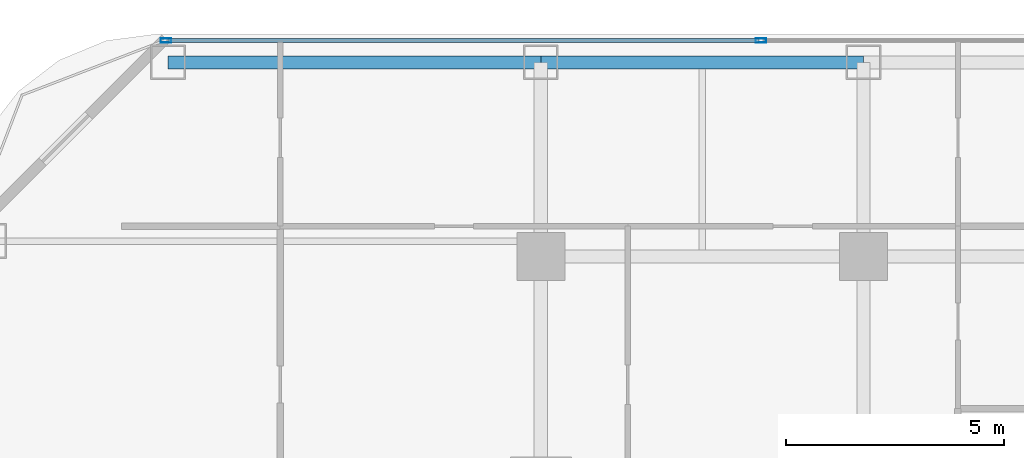
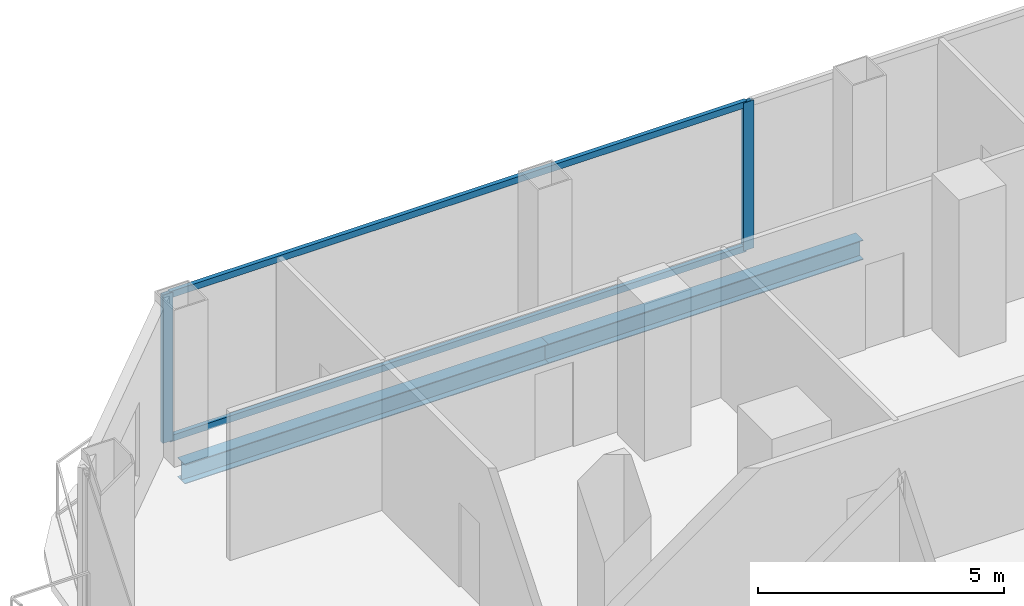
# One storey, part 15 of 30: 4 members, 2 beams, 1 element without a shape of its own.
"""IFC4 building model written with IfcOpenShell, lengths in metres."""

from ifc_helpers import new_model, si_unit, direction, frame, origin, origin_2d, place, context, subcontext, project, spatial, hollow_rectangle, i_section, extrude, material, layer, layer_set, material_profile, profile_set, type_object, element, aggregate, save


model = new_model("IFC4")

# Units and contexts
model_context = context("Model", 3, precision=1e-05, world=origin(), true_north=direction((0.0, 1.0)))
body_context = subcontext(model_context, "Body", "Model", "MODEL_VIEW")
ifc_project = project(units=[si_unit("LENGTHUNIT", "METRE"), si_unit("AREAUNIT", "SQUARE_METRE"), si_unit("VOLUMEUNIT", "CUBIC_METRE"), si_unit("PLANEANGLEUNIT", "RADIAN"), si_unit("MASSUNIT", "GRAM", prefix="KILO")], contexts=[model_context])

# Site, building, storey
site_placement = place(None, origin())
site = spatial("IfcSite", under=ifc_project, at=site_placement, CompositionType="ELEMENT")
building_placement = place(site_placement, origin())
building = spatial("IfcBuilding", under=site, at=building_placement, Name="Khorvyn Point Tower", CompositionType="ELEMENT")
storey_placement = place(building_placement, frame((0.0, 0.0, 57.89990234375)))
storey = spatial("IfcBuildingStorey", under=building, at=storey_placement, Name="L15", CompositionType="ELEMENT", Elevation=57.89990234375)

# Curtain wall, members
ifc_material_1 = material(Name="Anodised aluminium 6063-T6 and laminated Low-E glass", Category="aluminium")
ifc_layer = layer(ifc_material_1, 0.18994140625)
ifc_layer_set = layer_set([ifc_layer], Name="Stick-Built Finned Residential Curtain Wall CW-SYS-02")
curtain_wall_type = type_object("IfcCurtainWallType", Name="Stick-Built Finned Residential Curtain Wall CW-SYS-02", PredefinedType="NOTDEFINED", material=ifc_layer_set)
curtain_wall_placement = place(storey_placement, origin())
curtain_wall = element("IfcCurtainWall", 1, at=curtain_wall_placement, inside=storey, type_object=curtain_wall_type, Name="Curtain Wall", PredefinedType="NOTDEFINED")
ifc_material_2 = material(Name="Anodised aluminium 6063-T6", Category="aluminium")
ifc_material_profile_1 = material_profile(ifc_material_2, hollow_rectangle(XDim=0.10009765625, YDim=0.239990234375, WallThickness=0.0048828125, at=origin_2d()))
ifc_profile_set_1 = profile_set([ifc_material_profile_1], Name="Anodised aluminium 6063-T6 ALU-MUL-100x240")
member_type_1 = type_object("IfcMemberType", Name="Anodised Aluminium 6063-T6 Mullion ALU-MUL-100x240", PredefinedType="MULLION", material=ifc_profile_set_1)
member_1_placement = place(storey_placement, frame((-23.39990234375, 25.050048828125, 0.0), z_axis=(0.0, 0.0, 1.0), x_axis=(0.0, 1.0, 0.0)))
member_1 = element("IfcMember", 2, at=member_1_placement, type_object=member_type_1, Name="Transom", PredefinedType="MULLION", context=body_context, shape_type="SweptSolid", body=[
    extrude(hollow_rectangle(XDim=0.10009765625, YDim=0.239990234375, WallThickness=0.0048828125, at=origin_2d()), origin(), (0.0, 0.0, 1.0), 3.68017578125),
])
member_2_placement = place(storey_placement, frame((-9.75, 25.050048828125, 0.0), z_axis=(0.0, 0.0, 1.0), x_axis=(0.0, 1.0, 0.0)))
member_2 = element("IfcMember", 3, at=member_2_placement, type_object=member_type_1, Name="Transom", PredefinedType="MULLION", context=body_context, shape_type="SweptSolid", body=[
    extrude(hollow_rectangle(XDim=0.10009765625, YDim=0.239990234375, WallThickness=0.0048828125, at=origin_2d()), origin(), (0.0, 0.0, 1.0), 3.68017578125),
])
ifc_material_profile_2 = material_profile(ifc_material_2, hollow_rectangle(XDim=0.10009765625, YDim=0.159912109375, WallThickness=0.00439453125, at=origin_2d()))
ifc_profile_set_2 = profile_set([ifc_material_profile_2], Name="Anodised aluminium 6063-T6 ALU-TRN-100x160")
member_type_2 = type_object("IfcMemberType", Name="Anodised Aluminium 6063-T6 Transom ALU-TRN-100x160", PredefinedType="USERDEFINED", material=ifc_profile_set_2)
member_3_placement = place(storey_placement, frame((-23.35009765625, 25.050048828125, 0.050048828125), z_axis=(1.0, 0.0, 0.0), x_axis=(0.0, 1.0, 0.0)))
member_3 = element("IfcMember", 4, at=member_3_placement, type_object=member_type_2, Name="Transom", ObjectType="TRANSOM", PredefinedType="USERDEFINED", context=body_context, shape_type="SweptSolid", body=[
    extrude(hollow_rectangle(XDim=0.10009765625, YDim=0.159912109375, WallThickness=0.00439453125, at=origin_2d()), origin(), (0.0, 0.0, 1.0), 13.550048828125),
])
member_4_placement = place(storey_placement, frame((-23.35009765625, 25.050048828125, 3.630126953125), z_axis=(1.0, 0.0, 0.0), x_axis=(0.0, 1.0, 0.0)))
member_4 = element("IfcMember", 5, at=member_4_placement, type_object=member_type_2, Name="Transom", ObjectType="TRANSOM", PredefinedType="USERDEFINED", context=body_context, shape_type="SweptSolid", body=[
    extrude(hollow_rectangle(XDim=0.10009765625, YDim=0.159912109375, WallThickness=0.00439453125, at=origin_2d()), origin(), (0.0, 0.0, 1.0), 13.550048828125),
])
aggregate(curtain_wall, [member_1, member_2, member_3, member_4])

# Beams
ifc_material_3 = material(Name="Steel S355", Category="steel")
ifc_material_profile_3 = material_profile(ifc_material_3, i_section(OverallWidth=0.300048828125, OverallDepth=0.488037109375, WebThickness=0.010986328125, FlangeThickness=0.01806640625, at=origin_2d()))
ifc_profile_set_3 = profile_set([ifc_material_profile_3], Name="Steel S355 H488x300x11x18")
beam_type = type_object("IfcBeamType", Name="Steel S355 Spandrel H488x300x11x18", PredefinedType="SPANDREL", material=ifc_profile_set_3)
beam_1_placement = place(storey_placement, frame((-23.35009765625, 24.550048828125, -0.4638671875), z_axis=(1.0, 0.0, 0.0), x_axis=(0.0, 1.0, 0.0)))
element("IfcBeam", 6, at=beam_1_placement, inside=storey, type_object=beam_type, Name="Beam", PredefinedType="SPANDREL", context=body_context, shape_type="SweptSolid", body=[
    extrude(i_section(OverallWidth=0.300048828125, OverallDepth=0.488037109375, WebThickness=0.010986328125, FlangeThickness=0.01806640625, at=origin_2d()), origin(), (0.0, 0.0, 1.0), 8.550048828125),
])
beam_2_placement = place(storey_placement, frame((-14.800048828125, 24.550048828125, -0.4638671875), z_axis=(1.0, 0.0, 0.0), x_axis=(0.0, 1.0, 0.0)))
element("IfcBeam", 7, at=beam_2_placement, inside=storey, type_object=beam_type, Name="Beam", PredefinedType="SPANDREL", context=body_context, shape_type="SweptSolid", body=[
    extrude(i_section(OverallWidth=0.300048828125, OverallDepth=0.488037109375, WebThickness=0.010986328125, FlangeThickness=0.01806640625, at=origin_2d()), origin(), (0.0, 0.0, 1.0), 7.400146484375),
])

save(model, "model.ifc")
